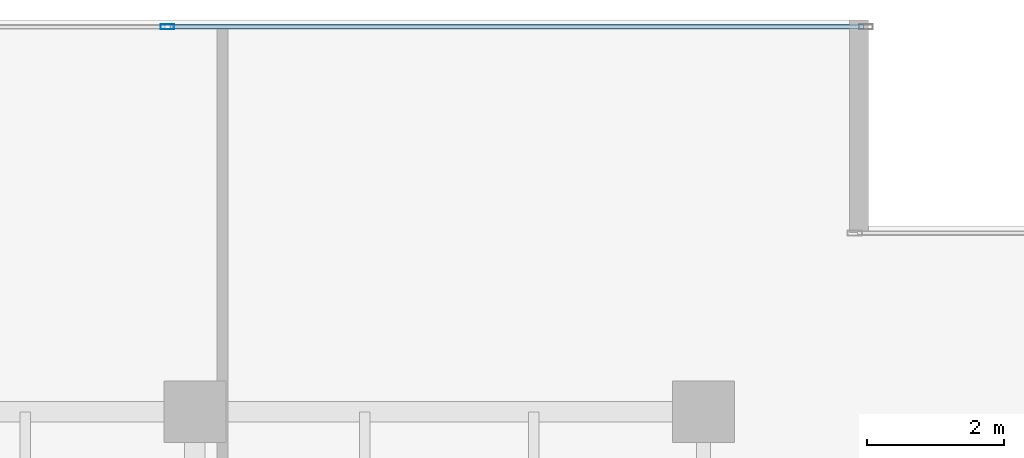
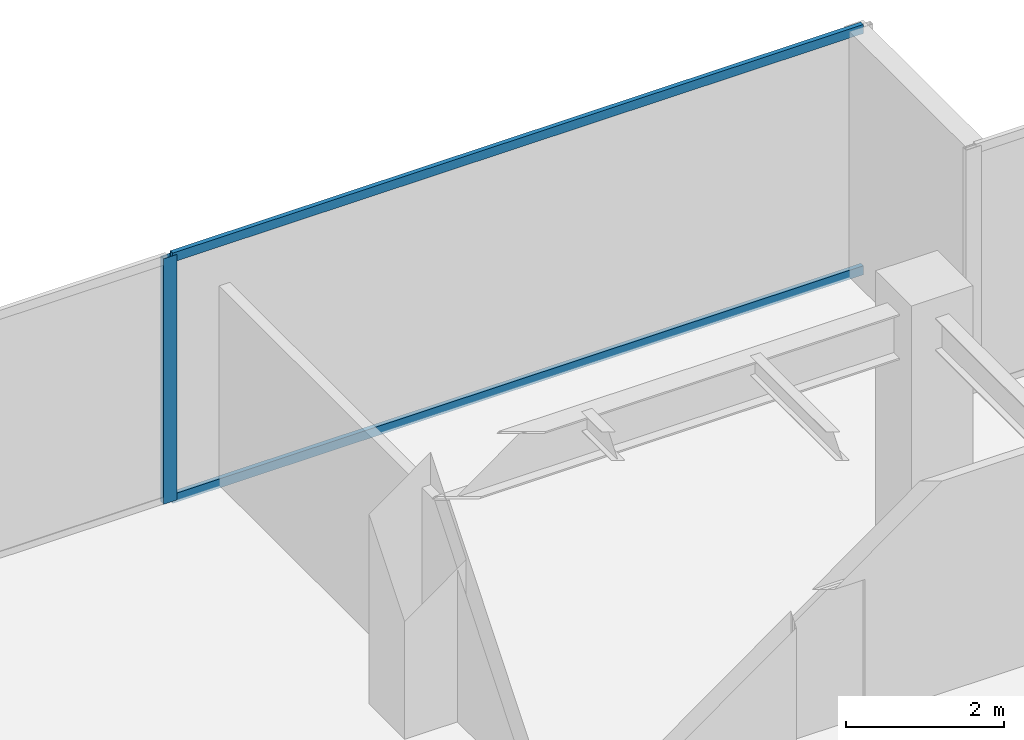
# One storey, part 20 of 31: 3 members, 1 element without a shape of its own.
"""IFC4 building model written with IfcOpenShell, lengths in metres."""

from ifc_helpers import new_model, si_unit, direction, frame, origin, origin_2d, place, context, subcontext, project, spatial, hollow_rectangle, extrude, source, transform, mapped, material, layer, layer_set, material_profile, profile_set, type_object, type_shapes, element, aggregate, save


model = new_model("IFC4")

# Units and contexts
model_context = context("Model", 3, precision=1e-05, world=origin(), true_north=direction((0.0, 1.0)))
body_context = subcontext(model_context, "Body", "Model", "MODEL_VIEW")
ifc_project = project(units=[si_unit("LENGTHUNIT", "METRE"), si_unit("AREAUNIT", "SQUARE_METRE"), si_unit("VOLUMEUNIT", "CUBIC_METRE"), si_unit("PLANEANGLEUNIT", "RADIAN"), si_unit("MASSUNIT", "GRAM", prefix="KILO")], contexts=[model_context])

# Site, building, storey
site_placement = place(None, origin())
site = spatial("IfcSite", under=ifc_project, at=site_placement, CompositionType="ELEMENT")
building_placement = place(site_placement, origin())
building = spatial("IfcBuilding", under=site, at=building_placement, Name="Haelvirn Gate Laboratories", CompositionType="ELEMENT")
storey_placement = place(building_placement, frame((0.0, 0.0, 154.300048828125)))
storey = spatial("IfcBuildingStorey", under=building, at=storey_placement, Name="L37", CompositionType="ELEMENT", Elevation=154.300048828125)

# Curtain wall, members
ifc_material_1 = material(Name="Anodised bronze unitised aluminium & triple low-E glass", Category="aluminium")
ifc_layer = layer(ifc_material_1, 0.179931640625, Name="CW-SYS-3")
ifc_layer_set = layer_set([ifc_layer], Name="Anodised bronze unitised aluminium & triple low-E glass")
curtain_wall_type = type_object("IfcCurtainWallType", Name="CW-SYS-3", PredefinedType="NOTDEFINED", material=ifc_layer_set)
curtain_wall_placement = place(storey_placement, origin())
curtain_wall = element("IfcCurtainWall", 1, at=curtain_wall_placement, inside=storey, type_object=curtain_wall_type, Name="L37 Unitised Curtain Wall CW-L37-P0-E10-1", PredefinedType="NOTDEFINED")
ifc_material_2 = material(Name="Extruded aluminium 6063-T6 (anodised bronze)", Category="aluminium")
ifc_material_profile_1 = material_profile(ifc_material_2, hollow_rectangle(XDim=0.06494140625, YDim=0.139892578125, WallThickness=0.00390625, at=origin_2d()), Name="CWT-140x65x4")
ifc_profile_set_1 = profile_set([ifc_material_profile_1], Name="Extruded aluminium 6063-T6 (anodised bronze)")
member_type_1 = type_object("IfcMemberType", Name="CWT-T140", PredefinedType="USERDEFINED", material=ifc_profile_set_1)
shared_shape_1 = source(origin(), body_context, "Body", "SweptSolid", [
    extrude(hollow_rectangle(XDim=0.06494140625, YDim=0.139892578125, WallThickness=0.00390625, at=origin_2d()), origin(), (0.0, 0.0, 1.0), 10.087646484375),
])
type_shapes(member_type_1, [shared_shape_1])
member_1_placement = place(storey_placement, frame((59.637451171875, 47.199951171875, 0.032470703125), z_axis=(1.0, 0.0, 0.0), x_axis=(0.0, 1.0, 0.0)))
member_1 = element("IfcMember", 2, at=member_1_placement, type_object=member_type_1, Name="CW3 transom 2.1", ObjectType="TRANSOM", PredefinedType="USERDEFINED", context=body_context, shape_type="MappedRepresentation", body=[
    mapped(shared_shape_1, transform((0.0, 0.0, 0.0), scale=1.0)),
])
member_2_placement = place(storey_placement, frame((59.637451171875, 47.199951171875, 3.757568359375), z_axis=(1.0, 0.0, 0.0), x_axis=(0.0, 1.0, 0.0)))
member_2 = element("IfcMember", 3, at=member_2_placement, type_object=member_type_1, Name="CW3 transom 2.2", ObjectType="TRANSOM", PredefinedType="USERDEFINED", context=body_context, shape_type="MappedRepresentation", body=[
    mapped(shared_shape_1, transform((0.0, 0.0, 0.0), scale=1.0)),
])
ifc_material_profile_2 = material_profile(ifc_material_2, hollow_rectangle(XDim=0.074951171875, YDim=0.199951171875, WallThickness=0.0048828125, at=origin_2d()), Name="CWM-200x75x5")
ifc_profile_set_2 = profile_set([ifc_material_profile_2], Name="Extruded aluminium 6063-T6 (anodised bronze)")
member_type_2 = type_object("IfcMemberType", Name="CWM-T200", PredefinedType="MULLION", material=ifc_profile_set_2)
shared_shape_2 = source(origin(), body_context, "Body", "SweptSolid", [
    extrude(hollow_rectangle(XDim=0.074951171875, YDim=0.199951171875, WallThickness=0.0048828125, at=origin_2d()), origin(), (0.0, 0.0, 1.0), 3.7900390625),
])
type_shapes(member_type_2, [shared_shape_2])
member_3_placement = place(storey_placement, frame((59.60009765625, 47.199951171875, 0.0), z_axis=(0.0, 0.0, 1.0), x_axis=(0.0, 1.0, 0.0)))
member_3 = element("IfcMember", 4, at=member_3_placement, type_object=member_type_2, Name="CW3 mullion 2", PredefinedType="MULLION", context=body_context, shape_type="MappedRepresentation", body=[
    mapped(shared_shape_2, transform((0.0, 0.0, 0.0), scale=1.0)),
])
aggregate(curtain_wall, [member_3, member_1, member_2])

save(model, "model.ifc")
